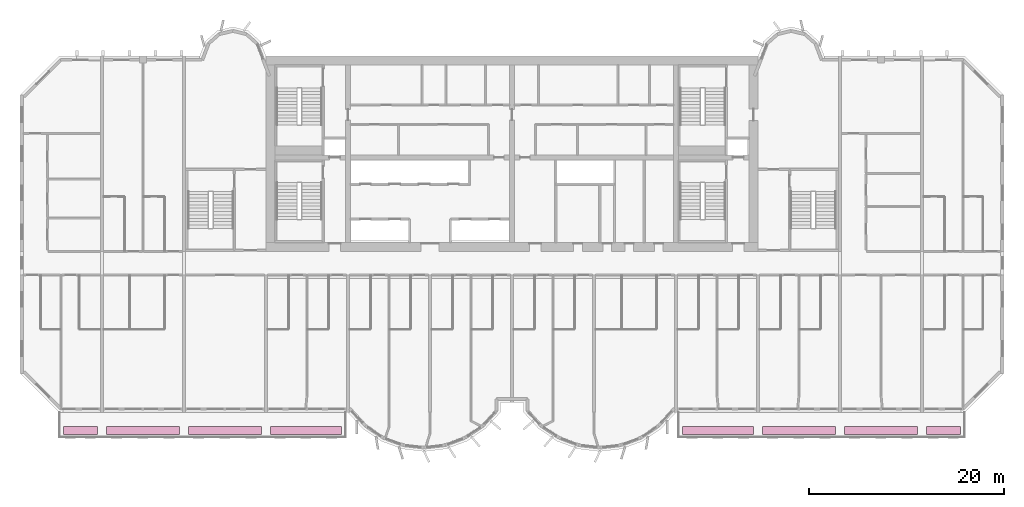
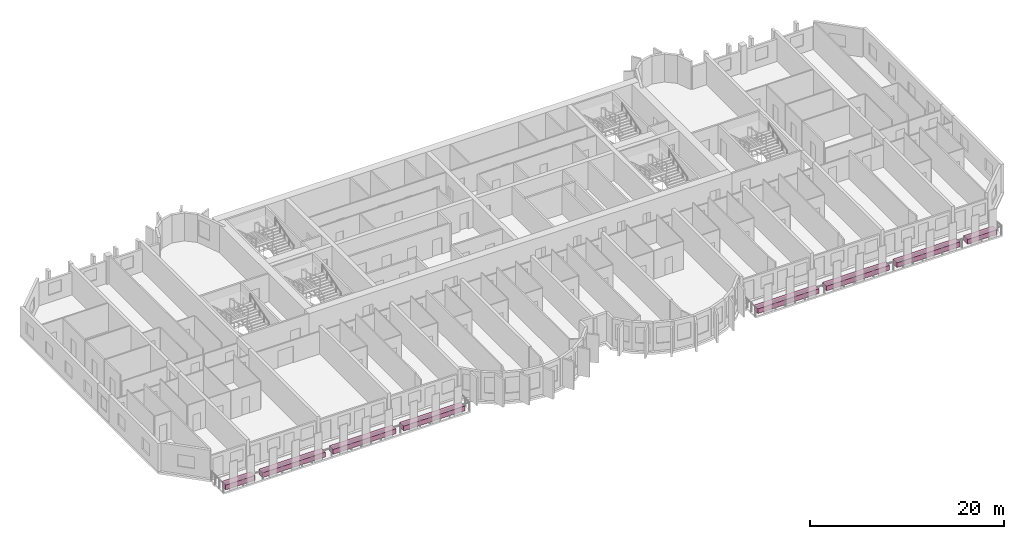
# One storey, part 15 of 15: 8 furniture elements.
"""IFC4 building model written with IfcOpenShell, lengths in metres."""

from ifc_helpers import new_model, si_unit, direction, frame, origin, origin_2d, place, context, subcontext, project, spatial, rectangle, extrude, source, transform, mapped, material, type_object, element, save


model = new_model("IFC4")

# Units and contexts
model_context = context("Model", 3, precision=1e-05, world=origin(), true_north=direction((0.0, 1.0)))
body_context = subcontext(model_context, "Body", "Model", "MODEL_VIEW")
ifc_project = project(units=[si_unit("LENGTHUNIT", "METRE"), si_unit("AREAUNIT", "SQUARE_METRE"), si_unit("VOLUMEUNIT", "CUBIC_METRE"), si_unit("PLANEANGLEUNIT", "RADIAN"), si_unit("MASSUNIT", "GRAM", prefix="KILO")], contexts=[model_context])

# Site, building, storey
site_placement = place(None, origin())
site = spatial("IfcSite", under=ifc_project, at=site_placement, CompositionType="ELEMENT")
building_placement = place(site_placement, origin())
building = spatial("IfcBuilding", under=site, at=building_placement, Name="Vanashikhar Sky Hotel", CompositionType="ELEMENT")
storey_placement = place(building_placement, frame((0.0, 0.0, 95.199951171875)))
storey = spatial("IfcBuildingStorey", under=building, at=storey_placement, Name="L22", CompositionType="ELEMENT", Elevation=95.199951171875)

# Furniture
ifc_material = material(Name="Planting soil and shrubs")
furniture_type = type_object("IfcFurnitureType", Name="Planter trough", AssemblyPlace="NOTDEFINED", PredefinedType="USERDEFINED", material=ifc_material)
shared_shape_1 = source(origin(), body_context, "Body", "SweptSolid", [
    extrude(rectangle(XDim=3.5, YDim=0.800048828125, at=origin_2d()), origin(), (0.0, 0.0, 1.0), 0.60009765625),
])
for number, where, z_axis, x_axis, name in (
    (1, (6.199951171875, 3.64990234375, -0.050048828125), (0.0, 0.0, 1.0), (1.0, 0.0, 0.0), "PLANTER with climbers"),
    (2, (94.60009765625, 3.64990234375, -0.050048828125), (0.0, 0.0, 1.0), (1.0, 0.0, 0.0), "PLANTER with climbers"),
):
    element("IfcFurniture", number, at=place(storey_placement, frame(where, z_axis=z_axis, x_axis=x_axis)), inside=storey, type_object=furniture_type, Name=name, ObjectType="PLANTER", PredefinedType="USERDEFINED", context=body_context, shape_type="MappedRepresentation", body=[
        mapped(shared_shape_1, transform((0.0, 0.0, 0.0), scale=1.0)),
    ])
shared_shape_2 = source(origin(), body_context, "Body", "SweptSolid", [
    extrude(rectangle(XDim=7.5, YDim=0.800048828125, at=origin_2d()), origin(), (0.0, 0.0, 1.0), 0.60009765625),
])
for number, where, z_axis, x_axis, name in (
    (3, (12.60009765625, 3.64990234375, -0.050048828125), (0.0, 0.0, 1.0), (1.0, 0.0, 0.0), "PLANTER with climbers"),
    (4, (21.0, 3.64990234375, -0.050048828125), (0.0, 0.0, 1.0), (1.0, 0.0, 0.0), "PLANTER with climbers"),
    (5, (79.800048828125, 3.64990234375, -0.050048828125), (0.0, 0.0, 1.0), (1.0, 0.0, 0.0), "PLANTER with climbers"),
    (6, (88.199951171875, 3.64990234375, -0.050048828125), (0.0, 0.0, 1.0), (1.0, 0.0, 0.0), "PLANTER with climbers"),
):
    element("IfcFurniture", number, at=place(storey_placement, frame(where, z_axis=z_axis, x_axis=x_axis)), inside=storey, type_object=furniture_type, Name=name, ObjectType="PLANTER", PredefinedType="USERDEFINED", context=body_context, shape_type="MappedRepresentation", body=[
        mapped(shared_shape_2, transform((0.0, 0.0, 0.0), scale=1.0)),
    ])
shared_shape_3 = source(origin(), body_context, "Body", "SweptSolid", [
    extrude(rectangle(XDim=7.300048828125, YDim=0.800048828125, at=origin_2d()), origin(), (0.0, 0.0, 1.0), 0.60009765625),
])
for number, where, z_axis, x_axis, name in (
    (7, (29.300048828125, 3.64990234375, -0.050048828125), (0.0, 0.0, 1.0), (1.0, 0.0, 0.0), "PLANTER with climbers"),
    (8, (71.5, 3.64990234375, -0.050048828125), (0.0, 0.0, 1.0), (1.0, 0.0, 0.0), "PLANTER with climbers"),
):
    element("IfcFurniture", number, at=place(storey_placement, frame(where, z_axis=z_axis, x_axis=x_axis)), inside=storey, type_object=furniture_type, Name=name, ObjectType="PLANTER", PredefinedType="USERDEFINED", context=body_context, shape_type="MappedRepresentation", body=[
        mapped(shared_shape_3, transform((0.0, 0.0, 0.0), scale=1.0)),
    ])

save(model, "model.ifc")
